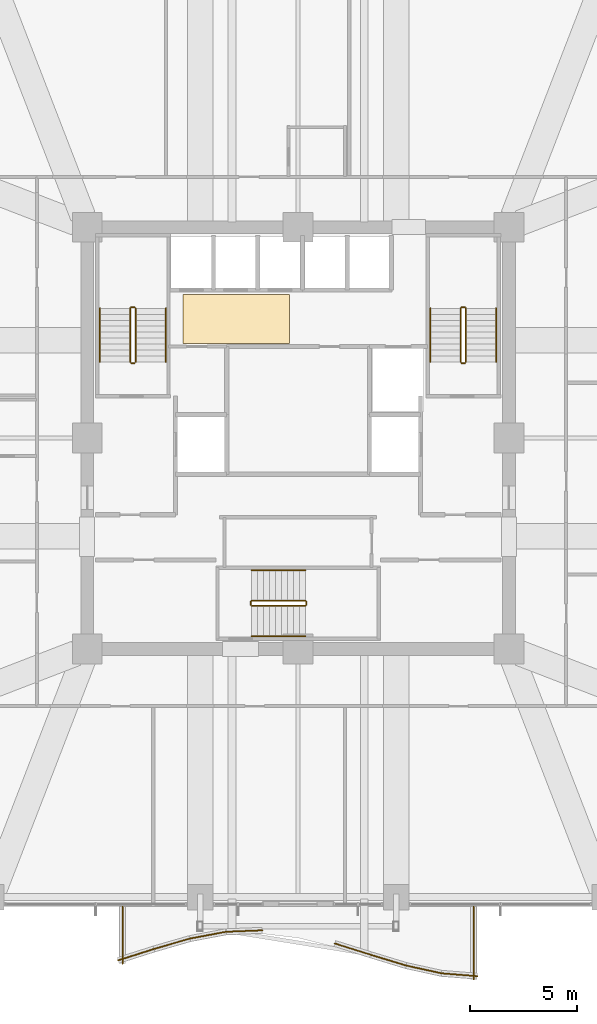
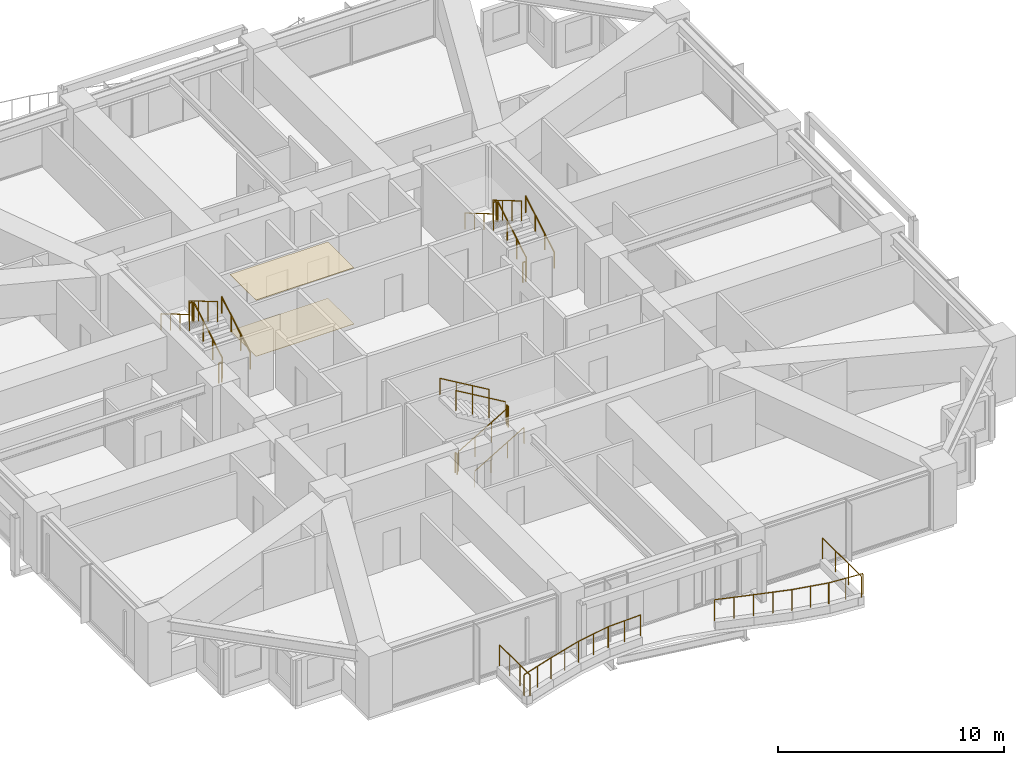
# One storey, part 36 of 37: 28 railings, 2 coverings.
"""IFC4 building model written with IfcOpenShell, lengths in metres."""

from ifc_helpers import new_model, si_unit, direction, frame, origin, origin_2d, place, context, subcontext, project, spatial, polyline, circle, outline, extrude, material, layer, layer_set, type_object, element, save


model = new_model("IFC4")

# Units and contexts
model_context = context("Model", 3, precision=1e-05, world=origin(), true_north=direction((0.0, 1.0)))
body_context = subcontext(model_context, "Body", "Model", "MODEL_VIEW")
ifc_project = project(units=[si_unit("LENGTHUNIT", "METRE"), si_unit("AREAUNIT", "SQUARE_METRE"), si_unit("VOLUMEUNIT", "CUBIC_METRE"), si_unit("PLANEANGLEUNIT", "RADIAN"), si_unit("MASSUNIT", "GRAM", prefix="KILO")], contexts=[model_context])

# Site, building, storey
site_placement = place(None, origin())
site = spatial("IfcSite", under=ifc_project, at=site_placement, CompositionType="ELEMENT")
building_placement = place(site_placement, origin())
building = spatial("IfcBuilding", under=site, at=building_placement, Name="Kolvaren Belvedere", CompositionType="ELEMENT")
storey_placement = place(building_placement, frame((0.0, 0.0, 56.800048828125)))
storey = spatial("IfcBuildingStorey", under=building, at=storey_placement, Name="L16", CompositionType="ELEMENT", Elevation=56.800048828125)

# Coverings
ifc_material_1 = material(Name="Acoustic perforated gypsum board", Category="gypsum")
ifc_layer_1 = layer(ifc_material_1, 0.02490234375)
ifc_layer_set_1 = layer_set([ifc_layer_1], Name="Acoustic perforated gypsum board")
covering_type_1 = type_object("IfcCoveringType", Name="COV-CEIL-GYP", PredefinedType="CEILING", material=ifc_layer_set_1)
covering_1_placement = place(storey_placement, frame((0.0, 0.0, 3.034912109375)))
element("IfcCovering", 1, at=covering_1_placement, inside=storey, type_object=covering_type_1, Name="L16 Lift Lobby Acoustic Baffle Ceiling", PredefinedType="CEILING", context=body_context, shape_type="SweptSolid", body=[
    extrude(outline(polyline([(-5.39990234375, 4.449951171875), (-0.39990234375, 4.449951171875), (-0.39990234375, 6.75), (-5.39990234375, 6.75), (-5.39990234375, 4.449951171875)])), origin(), (0.0, 0.0, 1.0), 0.025146484375),
])
ifc_material_2 = material(Name="Engineered Pacific white oak", Category="timber")
ifc_layer_2 = layer(ifc_material_2, 0.02001953125)
ifc_layer_set_2 = layer_set([ifc_layer_2], Name="Engineered Pacific white oak")
covering_type_2 = type_object("IfcCoveringType", Name="COV-FLR-OAK", PredefinedType="FLOORING", material=ifc_layer_set_2)
covering_2_placement = place(storey_placement, origin())
element("IfcCovering", 2, at=covering_2_placement, inside=storey, type_object=covering_type_2, Name="L16 Lift Lobby Finish Flooring", PredefinedType="FLOORING", context=body_context, shape_type="SweptSolid", body=[
    extrude(outline(polyline([(-5.39990234375, 4.449951171875), (-0.39990234375, 4.449951171875), (-0.39990234375, 6.75), (-5.39990234375, 6.75), (-5.39990234375, 4.449951171875)])), origin(), (0.0, 0.0, 1.0), 0.02001953125),
])

# Railings
ifc_material_3 = material(Name="Anodised pale-metal aluminium & laminated glass guard", Category="aluminium")
railing_type_1 = type_object("IfcRailingType", Name="RL-GUARD-1150", PredefinedType="GUARDRAIL", material=ifc_material_3)
railing_1_placement = place(storey_placement, frame((-8.448486328125, -24.521240234375, 0.35986328125)))
element("IfcRailing", 3, at=railing_1_placement, inside=storey, type_object=railing_type_1, Name="L16 Exterior Deck Safety Guard BAL-S-1", PredefinedType="GUARDRAIL", context=body_context, shape_type="SweptSolid", body=[
    extrude(circle(Radius=0.02392578125, at=origin_2d()), frame((0.0, 0.0, 1.1259765625), z_axis=(0.952661770826, 0.304032153573, 0.0), x_axis=(-0.304032153573, 0.952661770826, 0.0)), (0.0, 0.0, 1.0), 1.763427734375),
    extrude(circle(Radius=0.02099609375, at=origin_2d()), origin(), (0.0, 0.0, 1.0), 1.101806640625),
    extrude(circle(Radius=0.02099609375, at=origin_2d()), frame((0.83984375, 0.26806640625, 0.0)), (0.0, 0.0, 1.0), 1.101806640625),
    extrude(circle(Radius=0.02099609375, at=origin_2d()), frame((1.679931640625, 0.5361328125, 0.0)), (0.0, 0.0, 1.0), 1.101806640625),
])
railing_2_placement = place(storey_placement, frame((-6.764404296875, -23.98388671875, 0.35986328125)))
element("IfcRailing", 4, at=railing_2_placement, inside=storey, type_object=railing_type_1, Name="L16 Exterior Deck Safety Guard BAL-S-2", PredefinedType="GUARDRAIL", context=body_context, shape_type="SweptSolid", body=[
    extrude(circle(Radius=0.02392578125, at=origin_2d()), frame((0.0, 0.0, 1.1259765625), z_axis=(0.96059663827, 0.277946215201, 0.0), x_axis=(-0.277946215201, 0.96059663827, 0.0)), (0.0, 0.0, 1.0), 1.748779296875),
    extrude(circle(Radius=0.02099609375, at=origin_2d()), origin(), (0.0, 0.0, 1.0), 1.101806640625),
    extrude(circle(Radius=0.02099609375, at=origin_2d()), frame((0.83984375, 0.2431640625, 0.0)), (0.0, 0.0, 1.0), 1.101806640625),
    extrude(circle(Radius=0.02099609375, at=origin_2d()), frame((1.679931640625, 0.486083984375, 0.0)), (0.0, 0.0, 1.0), 1.101806640625),
])
railing_3_placement = place(storey_placement, frame((-5.069580078125, -23.494384765625, 0.35986328125)))
element("IfcRailing", 5, at=railing_3_placement, inside=storey, type_object=railing_type_1, Name="L16 Exterior Deck Safety Guard BAL-S-3", PredefinedType="GUARDRAIL", context=body_context, shape_type="SweptSolid", body=[
    extrude(circle(Radius=0.02392578125, at=origin_2d()), frame((0.0, 0.0, 1.1259765625), z_axis=(0.982799348901, 0.18467658162, 0.0), x_axis=(-0.18467658162, 0.982799348901, 0.0)), (0.0, 0.0, 1.0), 1.709228515625),
    extrude(circle(Radius=0.02099609375, at=origin_2d()), origin(), (0.0, 0.0, 1.0), 1.101806640625),
    extrude(circle(Radius=0.02099609375, at=origin_2d()), frame((0.83984375, 0.15771484375, 0.0)), (0.0, 0.0, 1.0), 1.101806640625),
    extrude(circle(Radius=0.02099609375, at=origin_2d()), frame((1.679931640625, 0.315673828125, 0.0)), (0.0, 0.0, 1.0), 1.101806640625),
])
railing_4_placement = place(storey_placement, frame((-3.366455078125, -23.17578125, 0.35986328125)))
element("IfcRailing", 6, at=railing_4_placement, inside=storey, type_object=railing_type_1, Name="L16 Exterior Deck Safety Guard BAL-S-4", PredefinedType="GUARDRAIL", context=body_context, shape_type="SweptSolid", body=[
    extrude(circle(Radius=0.02392578125, at=origin_2d()), frame((0.0, 0.0, 1.1259765625), z_axis=(0.999202581436, 0.039927449854, 0.0), x_axis=(-0.039927449854, 0.999202581436, 0.0)), (0.0, 0.0, 1.0), 1.681396484375),
    extrude(circle(Radius=0.02099609375, at=origin_2d()), origin(), (0.0, 0.0, 1.0), 1.101806640625),
    extrude(circle(Radius=0.02099609375, at=origin_2d()), frame((0.840087890625, 0.03369140625, 0.0)), (0.0, 0.0, 1.0), 1.101806640625),
    extrude(circle(Radius=0.02099609375, at=origin_2d()), frame((1.68017578125, 0.067138671875, 0.0)), (0.0, 0.0, 1.0), 1.101806640625),
])
railing_5_placement = place(storey_placement, frame((1.727783203125, -23.7275390625, 0.35986328125)))
element("IfcRailing", 7, at=railing_5_placement, inside=storey, type_object=railing_type_1, Name="L16 Exterior Deck Safety Guard BAL-S-7", PredefinedType="GUARDRAIL", context=body_context, shape_type="SweptSolid", body=[
    extrude(circle(Radius=0.02392578125, at=origin_2d()), frame((0.0, 0.0, 1.1259765625), z_axis=(0.954069594374, -0.299585061529, 0.0), x_axis=(0.299585061529, 0.954069594374, 0.0)), (0.0, 0.0, 1.0), 1.760986328125),
    extrude(circle(Radius=0.02099609375, at=origin_2d()), origin(), (0.0, 0.0, 1.0), 1.101806640625),
    extrude(circle(Radius=0.02099609375, at=origin_2d()), frame((0.840087890625, -0.263671875, 0.0)), (0.0, 0.0, 1.0), 1.101806640625),
    extrude(circle(Radius=0.02099609375, at=origin_2d()), frame((1.68017578125, -0.527587890625, 0.0)), (0.0, 0.0, 1.0), 1.101806640625),
])
railing_6_placement = place(storey_placement, frame((3.406494140625, -24.254638671875, 0.35986328125)))
element("IfcRailing", 8, at=railing_6_placement, inside=storey, type_object=railing_type_1, Name="L16 Exterior Deck Safety Guard BAL-S-8", PredefinedType="GUARDRAIL", context=body_context, shape_type="SweptSolid", body=[
    extrude(circle(Radius=0.02392578125, at=origin_2d()), frame((0.0, 0.0, 1.1259765625), z_axis=(0.956732787823, -0.290967992577, 0.0), x_axis=(0.290967992577, 0.956732787823, 0.0)), (0.0, 0.0, 1.0), 1.756103515625),
    extrude(circle(Radius=0.02099609375, at=origin_2d()), origin(), (0.0, 0.0, 1.0), 1.101806640625),
    extrude(circle(Radius=0.02099609375, at=origin_2d()), frame((0.840087890625, -0.25537109375, 0.0)), (0.0, 0.0, 1.0), 1.101806640625),
    extrude(circle(Radius=0.02099609375, at=origin_2d()), frame((1.68017578125, -0.510986328125, 0.0)), (0.0, 0.0, 1.0), 1.101806640625),
])
railing_7_placement = place(storey_placement, frame((5.07421875, -24.762451171875, 0.35986328125)))
element("IfcRailing", 9, at=railing_7_placement, inside=storey, type_object=railing_type_1, Name="L16 Exterior Deck Safety Guard BAL-S-9", PredefinedType="GUARDRAIL", context=body_context, shape_type="SweptSolid", body=[
    extrude(circle(Radius=0.02392578125, at=origin_2d()), frame((0.0, 0.0, 1.1259765625), z_axis=(0.976876857632, -0.213802724545, 0.0), x_axis=(0.213802724545, 0.976876857632, 0.0)), (0.0, 0.0, 1.0), 1.7197265625),
    extrude(circle(Radius=0.02099609375, at=origin_2d()), origin(), (0.0, 0.0, 1.0), 1.101806640625),
    extrude(circle(Radius=0.02099609375, at=origin_2d()), frame((0.83984375, -0.183837890625, 0.0)), (0.0, 0.0, 1.0), 1.101806640625),
    extrude(circle(Radius=0.02099609375, at=origin_2d()), frame((1.679931640625, -0.36767578125, 0.0)), (0.0, 0.0, 1.0), 1.101806640625),
])
railing_8_placement = place(storey_placement, frame((6.732666015625, -25.126953125, 0.35986328125)))
element("IfcRailing", 10, at=railing_8_placement, inside=storey, type_object=railing_type_1, Name="L16 Exterior Deck Safety Guard BAL-S-10", PredefinedType="GUARDRAIL", context=body_context, shape_type="SweptSolid", body=[
    extrude(circle(Radius=0.02392578125, at=origin_2d()), frame((0.0, 0.0, 1.1259765625), z_axis=(0.99685522818, -0.079244268248, 0.0), x_axis=(0.079244268248, 0.99685522818, 0.0)), (0.0, 0.0, 1.0), 1.685302734375),
    extrude(circle(Radius=0.02099609375, at=origin_2d()), origin(), (0.0, 0.0, 1.0), 1.101806640625),
    extrude(circle(Radius=0.02099609375, at=origin_2d()), frame((0.83984375, -0.06689453125, 0.0)), (0.0, 0.0, 1.0), 1.101806640625),
    extrude(circle(Radius=0.02099609375, at=origin_2d()), frame((1.679931640625, -0.133544921875, 0.0)), (0.0, 0.0, 1.0), 1.101806640625),
])
railing_9_placement = place(storey_placement, frame((8.239990234375, -25.419921875, 0.35986328125)))
element("IfcRailing", 11, at=railing_9_placement, inside=storey, type_object=railing_type_1, Name="L16 Exterior Deck Safety Guard BAL-S-11", PredefinedType="GUARDRAIL", context=body_context, shape_type="SweptSolid", body=[
    extrude(circle(Radius=0.02392578125, at=origin_2d()), frame((0.0, 0.0, 1.1259765625), z_axis=(0.0, 1.0, 0.0), x_axis=(-1.0, 0.0, 0.0)), (0.0, 0.0, 1.0), 3.419921875),
    extrude(circle(Radius=0.02099609375, at=origin_2d()), origin(), (0.0, 0.0, 1.0), 1.101806640625),
    extrude(circle(Radius=0.02099609375, at=origin_2d()), frame((0.0, 1.139892578125, 0.0)), (0.0, 0.0, 1.0), 1.101806640625),
    extrude(circle(Radius=0.02099609375, at=origin_2d()), frame((0.0, 2.280029296875, 0.0)), (0.0, 0.0, 1.0), 1.101806640625),
    extrude(circle(Radius=0.02099609375, at=origin_2d()), frame((0.0, 3.419921875, 0.0)), (0.0, 0.0, 1.0), 1.101806640625),
])
railing_10_placement = place(storey_placement, frame((-8.239990234375, -22.0, 0.35986328125)))
element("IfcRailing", 12, at=railing_10_placement, inside=storey, type_object=railing_type_1, Name="L16 Exterior Deck Safety Guard BAL-S-22", PredefinedType="GUARDRAIL", context=body_context, shape_type="SweptSolid", body=[
    extrude(circle(Radius=0.02392578125, at=origin_2d()), frame((0.0, 0.0, 1.1259765625), z_axis=(0.0, -1.0, 0.0), x_axis=(1.0, 0.0, 0.0)), (0.0, 0.0, 1.0), 2.673583984375),
    extrude(circle(Radius=0.02099609375, at=origin_2d()), origin(), (0.0, 0.0, 1.0), 1.101806640625),
    extrude(circle(Radius=0.02099609375, at=origin_2d()), frame((0.0, -0.89111328125, 0.0)), (0.0, 0.0, 1.0), 1.101806640625),
    extrude(circle(Radius=0.02099609375, at=origin_2d()), frame((0.0, -1.782470703125, 0.0)), (0.0, 0.0, 1.0), 1.101806640625),
    extrude(circle(Radius=0.02099609375, at=origin_2d()), frame((0.0, -2.673583984375, 0.0)), (0.0, 0.0, 1.0), 1.101806640625),
])
ifc_material_4 = material(Name="Brushed stainless-steel handrail", Category="steel")
railing_type_2 = type_object("IfcRailingType", Name="RL-HANDRAIL-920", PredefinedType="HANDRAIL", material=ifc_material_4)
railing_11_placement = place(storey_placement, frame((-6.2099609375, 3.570068359375, 0.1650390625)))
element("IfcRailing", 13, at=railing_11_placement, inside=storey, type_object=railing_type_2, Name="L16 ST-1 stair handrail 1", PredefinedType="HANDRAIL", context=body_context, shape_type="SweptSolid", body=[
    extrude(circle(Radius=0.02392578125, at=origin_2d()), frame((0.0, 0.0, 0.8759765625), z_axis=(0.0, 0.861560626758, 0.507654692109), x_axis=(-1.0, 0.0, 0.0)), (0.0, 0.0, 1.0), 2.925048828125),
    extrude(circle(Radius=0.02099609375, at=origin_2d()), origin(), (0.0, 0.0, 1.0), 0.851806640625),
    extrude(circle(Radius=0.02099609375, at=origin_2d()), frame((0.0, 0.840087890625, 0.494873046875)), (0.0, 0.0, 1.0), 0.851806640625),
    extrude(circle(Radius=0.02099609375, at=origin_2d()), frame((0.0, 1.679931640625, 0.989990234375)), (0.0, 0.0, 1.0), 0.851806640625),
    extrude(circle(Radius=0.02099609375, at=origin_2d()), frame((0.0, 2.52001953125, 1.48486328125)), (0.0, 0.0, 1.0), 0.851806640625),
])
railing_12_placement = place(storey_placement, frame((-9.300048828125, 6.090087890625, 1.81494140625)))
element("IfcRailing", 14, at=railing_12_placement, inside=storey, type_object=railing_type_2, Name="L16 ST-1 stair handrail 2", PredefinedType="HANDRAIL", context=body_context, shape_type="SweptSolid", body=[
    extrude(circle(Radius=0.02392578125, at=origin_2d()), frame((0.0, 0.0, 0.8759765625), z_axis=(0.0, -0.86152411907, 0.507716645641), x_axis=(1.0, 0.0, 0.0)), (0.0, 0.0, 1.0), 2.925048828125),
    extrude(circle(Radius=0.02099609375, at=origin_2d()), origin(), (0.0, 0.0, 1.0), 0.851806640625),
    extrude(circle(Radius=0.02099609375, at=origin_2d()), frame((0.0, -0.840087890625, 0.4951171875)), (0.0, 0.0, 1.0), 0.851806640625),
    extrude(circle(Radius=0.02099609375, at=origin_2d()), frame((0.0, -1.679931640625, 0.989990234375)), (0.0, 0.0, 1.0), 0.851806640625),
    extrude(circle(Radius=0.02099609375, at=origin_2d()), frame((0.0, -2.52001953125, 1.485107421875)), (0.0, 0.0, 1.0), 0.851806640625),
])
railing_13_placement = place(storey_placement, frame((9.300048828125, 3.570068359375, 0.1650390625)))
element("IfcRailing", 15, at=railing_13_placement, inside=storey, type_object=railing_type_2, Name="L16 ST-2 stair handrail 1", PredefinedType="HANDRAIL", context=body_context, shape_type="SweptSolid", body=[
    extrude(circle(Radius=0.02392578125, at=origin_2d()), frame((0.0, 0.0, 0.8759765625), z_axis=(0.0, 0.861560626758, 0.507654692109), x_axis=(-1.0, 0.0, 0.0)), (0.0, 0.0, 1.0), 2.925048828125),
    extrude(circle(Radius=0.02099609375, at=origin_2d()), origin(), (0.0, 0.0, 1.0), 0.851806640625),
    extrude(circle(Radius=0.02099609375, at=origin_2d()), frame((0.0, 0.840087890625, 0.494873046875)), (0.0, 0.0, 1.0), 0.851806640625),
    extrude(circle(Radius=0.02099609375, at=origin_2d()), frame((0.0, 1.679931640625, 0.989990234375)), (0.0, 0.0, 1.0), 0.851806640625),
    extrude(circle(Radius=0.02099609375, at=origin_2d()), frame((0.0, 2.52001953125, 1.48486328125)), (0.0, 0.0, 1.0), 0.851806640625),
])
railing_14_placement = place(storey_placement, frame((6.2099609375, 6.090087890625, 1.81494140625)))
element("IfcRailing", 16, at=railing_14_placement, inside=storey, type_object=railing_type_2, Name="L16 ST-2 stair handrail 2", PredefinedType="HANDRAIL", context=body_context, shape_type="SweptSolid", body=[
    extrude(circle(Radius=0.02392578125, at=origin_2d()), frame((0.0, 0.0, 0.8759765625), z_axis=(0.0, -0.86152411907, 0.507716645641), x_axis=(1.0, 0.0, 0.0)), (0.0, 0.0, 1.0), 2.925048828125),
    extrude(circle(Radius=0.02099609375, at=origin_2d()), origin(), (0.0, 0.0, 1.0), 0.851806640625),
    extrude(circle(Radius=0.02099609375, at=origin_2d()), frame((0.0, -0.840087890625, 0.4951171875)), (0.0, 0.0, 1.0), 0.851806640625),
    extrude(circle(Radius=0.02099609375, at=origin_2d()), frame((0.0, -1.679931640625, 0.989990234375)), (0.0, 0.0, 1.0), 0.851806640625),
    extrude(circle(Radius=0.02099609375, at=origin_2d()), frame((0.0, -2.52001953125, 1.485107421875)), (0.0, 0.0, 1.0), 0.851806640625),
])
railing_15_placement = place(storey_placement, frame((-2.179931640625, -9.300048828125, 0.1650390625)))
element("IfcRailing", 17, at=railing_15_placement, inside=storey, type_object=railing_type_2, Name="L16 ST-3 stair handrail 1", PredefinedType="HANDRAIL", context=body_context, shape_type="SweptSolid", body=[
    extrude(circle(Radius=0.02392578125, at=origin_2d()), frame((0.0, 0.0, 0.8759765625), z_axis=(0.861560626758, 0.0, 0.507654692109), x_axis=(0.0, 1.0, 0.0)), (0.0, 0.0, 1.0), 2.925048828125),
    extrude(circle(Radius=0.02099609375, at=origin_2d()), origin(), (0.0, 0.0, 1.0), 0.851806640625),
    extrude(circle(Radius=0.02099609375, at=origin_2d()), frame((0.840087890625, 0.0, 0.494873046875)), (0.0, 0.0, 1.0), 0.851806640625),
    extrude(circle(Radius=0.02099609375, at=origin_2d()), frame((1.679931640625, 0.0, 0.989990234375)), (0.0, 0.0, 1.0), 0.851806640625),
    extrude(circle(Radius=0.02099609375, at=origin_2d()), frame((2.52001953125, 0.0, 1.48486328125)), (0.0, 0.0, 1.0), 0.851806640625),
])
railing_16_placement = place(storey_placement, frame((0.340087890625, -6.2099609375, 1.81494140625)))
element("IfcRailing", 18, at=railing_16_placement, inside=storey, type_object=railing_type_2, Name="L16 ST-3 stair handrail 2", PredefinedType="HANDRAIL", context=body_context, shape_type="SweptSolid", body=[
    extrude(circle(Radius=0.02392578125, at=origin_2d()), frame((0.0, 0.0, 0.8759765625), z_axis=(-0.86152411907, 0.0, 0.507716645641), x_axis=(0.0, -1.0, 0.0)), (0.0, 0.0, 1.0), 2.925048828125),
    extrude(circle(Radius=0.02099609375, at=origin_2d()), origin(), (0.0, 0.0, 1.0), 0.851806640625),
    extrude(circle(Radius=0.02099609375, at=origin_2d()), frame((-0.840087890625, 0.0, 0.4951171875)), (0.0, 0.0, 1.0), 0.851806640625),
    extrude(circle(Radius=0.02099609375, at=origin_2d()), frame((-1.679931640625, 0.0, 0.989990234375)), (0.0, 0.0, 1.0), 0.851806640625),
    extrude(circle(Radius=0.02099609375, at=origin_2d()), frame((-2.52001953125, 0.0, 1.485107421875)), (0.0, 0.0, 1.0), 0.851806640625),
])
ifc_material_5 = material(Name="Painted tubular steel stair guard", Category="steel")
railing_type_3 = type_object("IfcRailingType", Name="RL-STGUARD-1100", PredefinedType="GUARDRAIL", material=ifc_material_5)
railing_17_placement = place(storey_placement, frame((-7.6298828125, 3.570068359375, 0.1650390625)))
element("IfcRailing", 19, at=railing_17_placement, inside=storey, type_object=railing_type_3, Name="L16 ST-1 stair guard 1", PredefinedType="GUARDRAIL", context=body_context, shape_type="SweptSolid", body=[
    extrude(circle(Radius=0.02392578125, at=origin_2d()), frame((0.0, 0.0, 1.076171875), z_axis=(0.0, 0.861560626758, 0.507654692109), x_axis=(-1.0, 0.0, 0.0)), (0.0, 0.0, 1.0), 2.925048828125),
    extrude(circle(Radius=0.02099609375, at=origin_2d()), origin(), (0.0, 0.0, 1.0), 1.052001953125),
    extrude(circle(Radius=0.02099609375, at=origin_2d()), frame((0.0, 0.840087890625, 0.494873046875)), (0.0, 0.0, 1.0), 1.052001953125),
    extrude(circle(Radius=0.02099609375, at=origin_2d()), frame((0.0, 1.679931640625, 0.989990234375)), (0.0, 0.0, 1.0), 1.052001953125),
    extrude(circle(Radius=0.02099609375, at=origin_2d()), frame((0.0, 2.52001953125, 1.48486328125)), (0.0, 0.0, 1.0), 1.052001953125),
])
railing_18_placement = place(storey_placement, frame((-7.679931640625, 6.139892578125, 1.64990234375)))
element("IfcRailing", 20, at=railing_18_placement, inside=storey, type_object=railing_type_3, Name="L16 ST-1 stair guard 2", PredefinedType="GUARDRAIL", context=body_context, shape_type="SweptSolid", body=[
    extrude(circle(Radius=0.02392578125, at=origin_2d()), frame((0.0, 0.0, 1.076171875), z_axis=(-1.0, 0.0, 0.0), x_axis=(0.0, -1.0, 0.0)), (0.0, 0.0, 1.0), 0.150146484375),
    extrude(circle(Radius=0.02099609375, at=origin_2d()), origin(), (0.0, 0.0, 1.0), 1.052001953125),
    extrude(circle(Radius=0.02099609375, at=origin_2d()), frame((-0.150146484375, 0.0, 0.0)), (0.0, 0.0, 1.0), 1.052001953125),
])
railing_19_placement = place(storey_placement, frame((-7.8798828125, 6.090087890625, 1.81494140625)))
element("IfcRailing", 21, at=railing_19_placement, inside=storey, type_object=railing_type_3, Name="L16 ST-1 stair guard 3", PredefinedType="GUARDRAIL", context=body_context, shape_type="SweptSolid", body=[
    extrude(circle(Radius=0.02392578125, at=origin_2d()), frame((0.0, 0.0, 1.076171875), z_axis=(0.0, -0.86152411907, 0.507716645641), x_axis=(1.0, 0.0, 0.0)), (0.0, 0.0, 1.0), 2.925048828125),
    extrude(circle(Radius=0.02099609375, at=origin_2d()), origin(), (0.0, 0.0, 1.0), 1.052001953125),
    extrude(circle(Radius=0.02099609375, at=origin_2d()), frame((0.0, -0.840087890625, 0.4951171875)), (0.0, 0.0, 1.0), 1.052001953125),
    extrude(circle(Radius=0.02099609375, at=origin_2d()), frame((0.0, -1.679931640625, 0.989990234375)), (0.0, 0.0, 1.0), 1.052001953125),
    extrude(circle(Radius=0.02099609375, at=origin_2d()), frame((0.0, -2.52001953125, 1.485107421875)), (0.0, 0.0, 1.0), 1.052001953125),
])
railing_20_placement = place(storey_placement, frame((-7.679931640625, 3.52001953125, 0.0)))
element("IfcRailing", 22, at=railing_20_placement, inside=storey, type_object=railing_type_3, Name="L16 ST-1 stair guard 4", PredefinedType="GUARDRAIL", context=body_context, shape_type="SweptSolid", body=[
    extrude(circle(Radius=0.02392578125, at=origin_2d()), frame((0.0, 0.0, 1.076171875), z_axis=(-1.0, 0.0, 0.0), x_axis=(0.0, -1.0, 0.0)), (0.0, 0.0, 1.0), 0.150146484375),
    extrude(circle(Radius=0.02099609375, at=origin_2d()), origin(), (0.0, 0.0, 1.0), 1.052001953125),
    extrude(circle(Radius=0.02099609375, at=origin_2d()), frame((-0.150146484375, 0.0, 0.0)), (0.0, 0.0, 1.0), 1.052001953125),
])
railing_21_placement = place(storey_placement, frame((7.8798828125, 3.570068359375, 0.1650390625)))
element("IfcRailing", 23, at=railing_21_placement, inside=storey, type_object=railing_type_3, Name="L16 ST-2 stair guard 1", PredefinedType="GUARDRAIL", context=body_context, shape_type="SweptSolid", body=[
    extrude(circle(Radius=0.02392578125, at=origin_2d()), frame((0.0, 0.0, 1.076171875), z_axis=(0.0, 0.861560626758, 0.507654692109), x_axis=(-1.0, 0.0, 0.0)), (0.0, 0.0, 1.0), 2.925048828125),
    extrude(circle(Radius=0.02099609375, at=origin_2d()), origin(), (0.0, 0.0, 1.0), 1.052001953125),
    extrude(circle(Radius=0.02099609375, at=origin_2d()), frame((0.0, 0.840087890625, 0.494873046875)), (0.0, 0.0, 1.0), 1.052001953125),
    extrude(circle(Radius=0.02099609375, at=origin_2d()), frame((0.0, 1.679931640625, 0.989990234375)), (0.0, 0.0, 1.0), 1.052001953125),
    extrude(circle(Radius=0.02099609375, at=origin_2d()), frame((0.0, 2.52001953125, 1.48486328125)), (0.0, 0.0, 1.0), 1.052001953125),
])
railing_22_placement = place(storey_placement, frame((7.830078125, 6.139892578125, 1.64990234375)))
element("IfcRailing", 24, at=railing_22_placement, inside=storey, type_object=railing_type_3, Name="L16 ST-2 stair guard 2", PredefinedType="GUARDRAIL", context=body_context, shape_type="SweptSolid", body=[
    extrude(circle(Radius=0.02392578125, at=origin_2d()), frame((0.0, 0.0, 1.076171875), z_axis=(-1.0, 0.0, 0.0), x_axis=(0.0, -1.0, 0.0)), (0.0, 0.0, 1.0), 0.150146484375),
    extrude(circle(Radius=0.02099609375, at=origin_2d()), origin(), (0.0, 0.0, 1.0), 1.052001953125),
    extrude(circle(Radius=0.02099609375, at=origin_2d()), frame((-0.150146484375, 0.0, 0.0)), (0.0, 0.0, 1.0), 1.052001953125),
])
railing_23_placement = place(storey_placement, frame((7.6298828125, 6.090087890625, 1.81494140625)))
element("IfcRailing", 25, at=railing_23_placement, inside=storey, type_object=railing_type_3, Name="L16 ST-2 stair guard 3", PredefinedType="GUARDRAIL", context=body_context, shape_type="SweptSolid", body=[
    extrude(circle(Radius=0.02392578125, at=origin_2d()), frame((0.0, 0.0, 1.076171875), z_axis=(0.0, -0.86152411907, 0.507716645641), x_axis=(1.0, 0.0, 0.0)), (0.0, 0.0, 1.0), 2.925048828125),
    extrude(circle(Radius=0.02099609375, at=origin_2d()), origin(), (0.0, 0.0, 1.0), 1.052001953125),
    extrude(circle(Radius=0.02099609375, at=origin_2d()), frame((0.0, -0.840087890625, 0.4951171875)), (0.0, 0.0, 1.0), 1.052001953125),
    extrude(circle(Radius=0.02099609375, at=origin_2d()), frame((0.0, -1.679931640625, 0.989990234375)), (0.0, 0.0, 1.0), 1.052001953125),
    extrude(circle(Radius=0.02099609375, at=origin_2d()), frame((0.0, -2.52001953125, 1.485107421875)), (0.0, 0.0, 1.0), 1.052001953125),
])
railing_24_placement = place(storey_placement, frame((7.830078125, 3.52001953125, 0.0)))
element("IfcRailing", 26, at=railing_24_placement, inside=storey, type_object=railing_type_3, Name="L16 ST-2 stair guard 4", PredefinedType="GUARDRAIL", context=body_context, shape_type="SweptSolid", body=[
    extrude(circle(Radius=0.02392578125, at=origin_2d()), frame((0.0, 0.0, 1.076171875), z_axis=(-1.0, 0.0, 0.0), x_axis=(0.0, -1.0, 0.0)), (0.0, 0.0, 1.0), 0.150146484375),
    extrude(circle(Radius=0.02099609375, at=origin_2d()), origin(), (0.0, 0.0, 1.0), 1.052001953125),
    extrude(circle(Radius=0.02099609375, at=origin_2d()), frame((-0.150146484375, 0.0, 0.0)), (0.0, 0.0, 1.0), 1.052001953125),
])
railing_25_placement = place(storey_placement, frame((-2.179931640625, -7.8798828125, 0.1650390625)))
element("IfcRailing", 27, at=railing_25_placement, inside=storey, type_object=railing_type_3, Name="L16 ST-3 stair guard 1", PredefinedType="GUARDRAIL", context=body_context, shape_type="SweptSolid", body=[
    extrude(circle(Radius=0.02392578125, at=origin_2d()), frame((0.0, 0.0, 1.076171875), z_axis=(0.861560626758, 0.0, 0.507654692109), x_axis=(0.0, 1.0, 0.0)), (0.0, 0.0, 1.0), 2.925048828125),
    extrude(circle(Radius=0.02099609375, at=origin_2d()), origin(), (0.0, 0.0, 1.0), 1.052001953125),
    extrude(circle(Radius=0.02099609375, at=origin_2d()), frame((0.840087890625, 0.0, 0.494873046875)), (0.0, 0.0, 1.0), 1.052001953125),
    extrude(circle(Radius=0.02099609375, at=origin_2d()), frame((1.679931640625, 0.0, 0.989990234375)), (0.0, 0.0, 1.0), 1.052001953125),
    extrude(circle(Radius=0.02099609375, at=origin_2d()), frame((2.52001953125, 0.0, 1.48486328125)), (0.0, 0.0, 1.0), 1.052001953125),
])
railing_26_placement = place(storey_placement, frame((0.389892578125, -7.830078125, 1.64990234375)))
element("IfcRailing", 28, at=railing_26_placement, inside=storey, type_object=railing_type_3, Name="L16 ST-3 stair guard 2", PredefinedType="GUARDRAIL", context=body_context, shape_type="SweptSolid", body=[
    extrude(circle(Radius=0.02392578125, at=origin_2d()), frame((0.0, 0.0, 1.076171875), z_axis=(0.0, 1.0, 0.0), x_axis=(-1.0, 0.0, 0.0)), (0.0, 0.0, 1.0), 0.150146484375),
    extrude(circle(Radius=0.02099609375, at=origin_2d()), origin(), (0.0, 0.0, 1.0), 1.052001953125),
    extrude(circle(Radius=0.02099609375, at=origin_2d()), frame((0.0, 0.150146484375, 0.0)), (0.0, 0.0, 1.0), 1.052001953125),
])
railing_27_placement = place(storey_placement, frame((0.340087890625, -7.6298828125, 1.81494140625)))
element("IfcRailing", 29, at=railing_27_placement, inside=storey, type_object=railing_type_3, Name="L16 ST-3 stair guard 3", PredefinedType="GUARDRAIL", context=body_context, shape_type="SweptSolid", body=[
    extrude(circle(Radius=0.02392578125, at=origin_2d()), frame((0.0, 0.0, 1.076171875), z_axis=(-0.86152411907, 0.0, 0.507716645641), x_axis=(0.0, -1.0, 0.0)), (0.0, 0.0, 1.0), 2.925048828125),
    extrude(circle(Radius=0.02099609375, at=origin_2d()), origin(), (0.0, 0.0, 1.0), 1.052001953125),
    extrude(circle(Radius=0.02099609375, at=origin_2d()), frame((-0.840087890625, 0.0, 0.4951171875)), (0.0, 0.0, 1.0), 1.052001953125),
    extrude(circle(Radius=0.02099609375, at=origin_2d()), frame((-1.679931640625, 0.0, 0.989990234375)), (0.0, 0.0, 1.0), 1.052001953125),
    extrude(circle(Radius=0.02099609375, at=origin_2d()), frame((-2.52001953125, 0.0, 1.485107421875)), (0.0, 0.0, 1.0), 1.052001953125),
])
railing_28_placement = place(storey_placement, frame((-2.22998046875, -7.830078125, 0.0)))
element("IfcRailing", 30, at=railing_28_placement, inside=storey, type_object=railing_type_3, Name="L16 ST-3 stair guard 4", PredefinedType="GUARDRAIL", context=body_context, shape_type="SweptSolid", body=[
    extrude(circle(Radius=0.02392578125, at=origin_2d()), frame((0.0, 0.0, 1.076171875), z_axis=(0.0, 1.0, 0.0), x_axis=(-1.0, 0.0, 0.0)), (0.0, 0.0, 1.0), 0.150146484375),
    extrude(circle(Radius=0.02099609375, at=origin_2d()), origin(), (0.0, 0.0, 1.0), 1.052001953125),
    extrude(circle(Radius=0.02099609375, at=origin_2d()), frame((0.0, 0.150146484375, 0.0)), (0.0, 0.0, 1.0), 1.052001953125),
])

save(model, "model.ifc")
